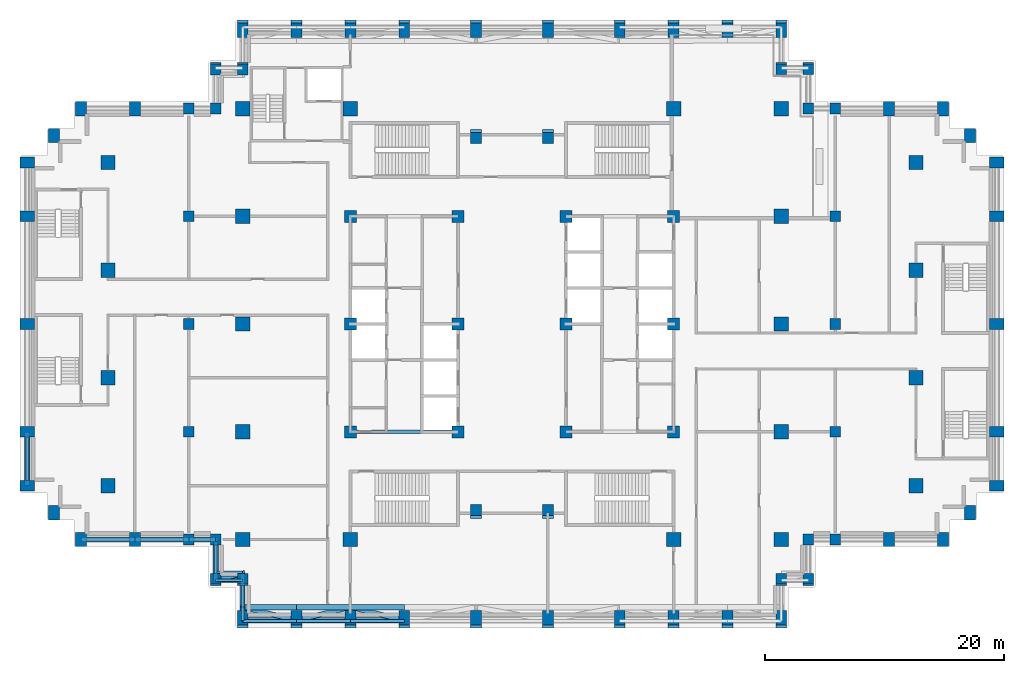
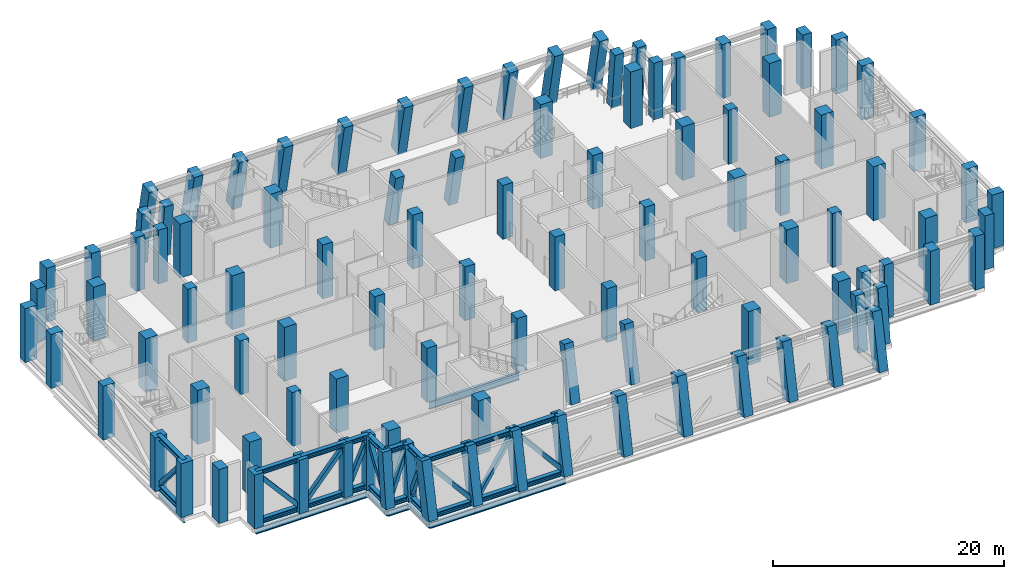
# One storey, part 1 of 14: 102 columns, 30 members, 11 beams.
"""IFC4 building model written with IfcOpenShell, lengths in metres."""

from ifc_helpers import new_model, si_unit, direction, frame, origin, origin_2d, place, context, subcontext, project, spatial, rectangle, hollow_rectangle, i_section, extrude, material, material_profile, profile_set, type_object, element, save


model = new_model("IFC4")

# Units and contexts
model_context = context("Model", 3, precision=1e-05, world=origin(), true_north=direction((0.0, 1.0)))
body_context = subcontext(model_context, "Body", "Model", "MODEL_VIEW")
ifc_project = project(units=[si_unit("LENGTHUNIT", "METRE"), si_unit("AREAUNIT", "SQUARE_METRE"), si_unit("VOLUMEUNIT", "CUBIC_METRE"), si_unit("PLANEANGLEUNIT", "RADIAN"), si_unit("MASSUNIT", "GRAM", prefix="KILO")], contexts=[model_context])

# Site, building, storey
site_placement = place(None, origin())
site = spatial("IfcSite", under=ifc_project, at=site_placement, CompositionType="ELEMENT")
building_placement = place(site_placement, origin())
building = spatial("IfcBuilding", under=site, at=building_placement, Name="Corbelhall Arena Tower", CompositionType="ELEMENT")
storey_placement = place(building_placement, frame((0.0, 0.0, 120.0)))
storey = spatial("IfcBuildingStorey", under=building, at=storey_placement, Name="L22", CompositionType="ELEMENT", Elevation=120.0)

# Columns
ifc_material_1 = material(Name="Concrete C80/95", Category="concrete")
ifc_material_profile_1 = material_profile(ifc_material_1, rectangle(XDim=1.0, YDim=1.0, at=origin_2d()))
ifc_profile_set_1 = profile_set([ifc_material_profile_1], Name="Concrete C80/95")
column_type_1 = type_object("IfcColumnType", Name="ST-COL-RC 1000x1000", PredefinedType="COLUMN", material=ifc_profile_set_1)
for number, where, z_axis, x_axis, name in (
    (1, (4.5, 0.0, 0.0), (0.0, 0.0, 1.0), (1.0, 0.0, 0.0), "Column KE+0450+0000"),
    (2, (4.5, 9.0, 0.0), (0.0, 0.0, 1.0), (1.0, 0.0, 0.0), "Column KE+0450+0900"),
    (3, (4.5, -9.0, 0.0), (0.0, 0.0, 1.0), (1.0, 0.0, 0.0), "Column KE+0450-0900"),
    (4, (13.5, 0.0, 0.0), (0.0, 0.0, 1.0), (1.0, 0.0, 0.0), "Column KE+1350+0000"),
    (5, (13.5, 9.0, 0.0), (0.0, 0.0, 1.0), (1.0, 0.0, 0.0), "Column KE+1350+0900"),
    (6, (13.5, -9.0, 0.0), (0.0, 0.0, 1.0), (1.0, 0.0, 0.0), "Column KE+1350-0900"),
    (7, (-4.5, 0.0, 0.0), (0.0, 0.0, 1.0), (1.0, 0.0, 0.0), "Column KW-0450+0000"),
    (8, (-4.5, 9.0, 0.0), (0.0, 0.0, 1.0), (1.0, 0.0, 0.0), "Column KW-0450+0900"),
    (9, (-4.5, -9.0, 0.0), (0.0, 0.0, 1.0), (1.0, 0.0, 0.0), "Column KW-0450-0900"),
    (10, (-13.5, 0.0, 0.0), (0.0, 0.0, 1.0), (1.0, 0.0, 0.0), "Column KW-1350+0000"),
    (11, (-13.5, 9.0, 0.0), (0.0, 0.0, 1.0), (1.0, 0.0, 0.0), "Column KW-1350+0900"),
    (12, (-13.5, -9.0, 0.0), (0.0, 0.0, 1.0), (1.0, 0.0, 0.0), "Column KW-1350-0900"),
):
    element("IfcColumn", number, at=place(storey_placement, frame(where, z_axis=z_axis, x_axis=x_axis)), inside=storey, type_object=column_type_1, Name=name, PredefinedType="COLUMN", context=body_context, shape_type="SweptSolid", body=[
        extrude(rectangle(XDim=1.0, YDim=1.0, at=origin_2d()), origin(), (0.0, 0.0, 1.0), 5.699951171875),
    ])
ifc_material_profile_2 = material_profile(ifc_material_1, rectangle(XDim=1.199951171875, YDim=1.199951171875, at=origin_2d()))
ifc_profile_set_2 = profile_set([ifc_material_profile_2], Name="Concrete C80/95")
column_type_2 = type_object("IfcColumnType", Name="ST-COL-RC 1200x1200", PredefinedType="COLUMN", material=ifc_profile_set_2)
for number, where, z_axis, x_axis, name in (
    (13, (-33.75, 4.5, 0.0), (0.0, 0.0, 1.0), (1.0, 0.0, 0.0), "Column FIC+0450"),
    (14, (-33.75, 13.5, 0.0), (0.0, 0.0, 1.0), (1.0, 0.0, 0.0), "Column FIC+1350"),
    (15, (-33.75, -4.5, 0.0), (0.0, 0.0, 1.0), (1.0, 0.0, 0.0), "Column FIC-0450"),
    (16, (-33.75, -13.5, 0.0), (0.0, 0.0, 1.0), (1.0, 0.0, 0.0), "Column FIC-1350"),
    (17, (33.75, 4.5, 0.0), (0.0, 0.0, 1.0), (1.0, 0.0, 0.0), "Column FID+0450"),
    (18, (33.75, 13.5, 0.0), (0.0, 0.0, 1.0), (1.0, 0.0, 0.0), "Column FID+1350"),
    (19, (33.75, -4.5, 0.0), (0.0, 0.0, 1.0), (1.0, 0.0, 0.0), "Column FID-0450"),
    (20, (33.75, -13.5, 0.0), (0.0, 0.0, 1.0), (1.0, 0.0, 0.0), "Column FID-1350"),
    (21, (13.5, 18.0, 0.0), (0.0, 0.0, 1.0), (1.0, 0.0, 0.0), "Column IE13+1800"),
    (22, (13.5, -18.0, 0.0), (0.0, 0.0, 1.0), (1.0, 0.0, 0.0), "Column IE13-1800"),
    (23, (22.5, 0.0, 0.0), (0.0, 0.0, 1.0), (1.0, 0.0, 0.0), "Column IE22+0000"),
    (24, (22.5, 9.0, 0.0), (0.0, 0.0, 1.0), (1.0, 0.0, 0.0), "Column IE22+0900"),
):
    element("IfcColumn", number, at=place(storey_placement, frame(where, z_axis=z_axis, x_axis=x_axis)), inside=storey, type_object=column_type_2, Name=name, PredefinedType="COLUMN", context=body_context, shape_type="SweptSolid", body=[
        extrude(rectangle(XDim=1.199951171875, YDim=1.199951171875, at=origin_2d()), origin(), (0.0, 0.0, 1.0), 5.699951171875),
    ])
column_1_placement = place(storey_placement, frame((22.5, 18.0, 0.0), z_axis=(0.0, 0.0, 1.0), x_axis=(1.0, 0.0, 0.0)))
element("IfcColumn", 25, at=column_1_placement, inside=storey, type_object=column_type_2, Name="Column IE22+1800", PredefinedType="COLUMN", context=body_context, shape_type="SweptSolid", body=[
    extrude(rectangle(XDim=1.199951171875, YDim=1.199951171875, at=origin_2d()), origin(), (0.0, 0.0, 1.0), 6.0),
])
for number, where, z_axis, x_axis, name in (
    (26, (22.5, -9.0, 0.0), (0.0, 0.0, 1.0), (1.0, 0.0, 0.0), "Column IE22-0900"),
    (27, (22.5, -18.0, 0.0), (0.0, 0.0, 1.0), (1.0, 0.0, 0.0), "Column IE22-1800"),
    (28, (-13.5, 18.0, 0.0), (0.0, 0.0, 1.0), (1.0, 0.0, 0.0), "Column IW13+1800"),
    (29, (-13.5, -18.0, 0.0), (0.0, 0.0, 1.0), (1.0, 0.0, 0.0), "Column IW13-1800"),
    (30, (-22.5, 0.0, 0.0), (0.0, 0.0, 1.0), (1.0, 0.0, 0.0), "Column IW22+0000"),
    (31, (-22.5, 9.0, 0.0), (0.0, 0.0, 1.0), (1.0, 0.0, 0.0), "Column IW22+0900"),
    (32, (-22.5, 18.0, 0.0), (0.0, 0.0, 1.0), (1.0, 0.0, 0.0), "Column IW22+1800"),
    (33, (-22.5, -9.0, 0.0), (0.0, 0.0, 1.0), (1.0, 0.0, 0.0), "Column IW22-0900"),
    (34, (-22.5, -18.0, 0.0), (0.0, 0.0, 1.0), (1.0, 0.0, 0.0), "Column IW22-1800"),
):
    element("IfcColumn", number, at=place(storey_placement, frame(where, z_axis=z_axis, x_axis=x_axis)), inside=storey, type_object=column_type_2, Name=name, PredefinedType="COLUMN", context=body_context, shape_type="SweptSolid", body=[
        extrude(rectangle(XDim=1.199951171875, YDim=1.199951171875, at=origin_2d()), origin(), (0.0, 0.0, 1.0), 5.699951171875),
    ])
ifc_material_profile_3 = material_profile(ifc_material_1, rectangle(XDim=0.89990234375, YDim=1.199951171875, at=origin_2d()))
ifc_profile_set_3 = profile_set([ifc_material_profile_3], Name="Concrete C80/95")
column_type_3 = type_object("IfcColumnType", Name="ST-COL-RC 900x1200", PredefinedType="COLUMN", material=ifc_profile_set_3)
for number, where, z_axis, x_axis, name in (
    (35, (-40.5, 0.0, 0.0), (0.0, 0.0, 1.0), (0.0, 1.0, 0.0), "Column FC+0000"),
    (36, (-40.5, 9.0, 0.0), (0.0, 0.0, 1.0), (0.0, 1.0, 0.0), "Column FC+0900"),
    (37, (-40.5, 13.5, 0.0), (0.0, 0.0, 1.0), (0.0, 1.0, 0.0), "Column FC+1350"),
    (38, (-40.5, -9.0, 0.0), (0.0, 0.0, 1.0), (0.0, 1.0, 0.0), "Column FC-0900"),
    (39, (-40.5, -13.5, 0.0), (0.0, 0.0, 1.0), (0.0, 1.0, 0.0), "Column FC-1350"),
    (40, (-38.25, 15.75, 0.0), (0.0, 0.0, 1.0), (1.0, 0.0, 0.0), "Column FCCN"),
    (41, (-38.25, -15.75, 0.0), (0.0, 0.0, 1.0), (1.0, 0.0, 0.0), "Column FCCS"),
    (42, (-31.5, 18.0, 0.0), (0.0, 0.0, 1.0), (1.0, 0.0, 0.0), "Column FCN3150"),
    (43, (-36.0, 18.0, 0.0), (0.0, 0.0, 1.0), (1.0, 0.0, 0.0), "Column FCN3600"),
    (44, (-31.5, -18.0, 0.0), (0.0, 0.0, 1.0), (1.0, 0.0, 0.0), "Column FCS3150"),
    (45, (-36.0, -18.0, 0.0), (0.0, 0.0, 1.0), (1.0, 0.0, 0.0), "Column FCS3600"),
    (46, (40.5, 0.0, 0.0), (0.0, 0.0, 1.0), (0.0, 1.0, 0.0), "Column FD+0000"),
    (47, (40.5, 9.0, 0.0), (0.0, 0.0, 1.0), (0.0, 1.0, 0.0), "Column FD+0900"),
    (48, (40.5, 13.5, 0.0), (0.0, 0.0, 1.0), (0.0, 1.0, 0.0), "Column FD+1350"),
    (49, (40.5, -9.0, 0.0), (0.0, 0.0, 1.0), (0.0, 1.0, 0.0), "Column FD-0900"),
    (50, (40.5, -13.5, 0.0), (0.0, 0.0, 1.0), (0.0, 1.0, 0.0), "Column FD-1350"),
    (51, (38.25, 15.75, 0.0), (0.0, 0.0, 1.0), (1.0, 0.0, 0.0), "Column FDCN"),
    (52, (38.25, -15.75, 0.0), (0.0, 0.0, 1.0), (1.0, 0.0, 0.0), "Column FDCS"),
    (53, (31.5, 18.0, 0.0), (0.0, 0.0, 1.0), (1.0, 0.0, 0.0), "Column FDN3150"),
    (54, (36.0, 18.0, 0.0), (0.0, 0.0, 1.0), (1.0, 0.0, 0.0), "Column FDN3600"),
    (55, (31.5, -18.0, 0.0), (0.0, 0.0, 1.0), (1.0, 0.0, 0.0), "Column FDS3150"),
    (56, (36.0, -18.0, 0.0), (0.0, 0.0, 1.0), (1.0, 0.0, 0.0), "Column FDS3600"),
):
    element("IfcColumn", number, at=place(storey_placement, frame(where, z_axis=z_axis, x_axis=x_axis)), inside=storey, type_object=column_type_3, Name=name, PredefinedType="COLUMN", context=body_context, shape_type="SweptSolid", body=[
        extrude(rectangle(XDim=0.89990234375, YDim=1.199951171875, at=origin_2d()), origin(), (0.0, 0.0, 1.0), 5.699951171875),
    ])
for number, where, z_axis, x_axis, name in (
    (57, (3.0, 24.800048828125, 0.0), (0.0, -0.206004144013, 0.978551119078), (1.0, 0.0, 0.0), "Column PNE0300"),
    (58, (9.0, 24.800048828125, 0.0), (0.0, -0.206004144013, 0.978551119078), (1.0, 0.0, 0.0), "Column PNE0900"),
    (59, (13.5, 24.800048828125, 0.0), (0.0, -0.206004144013, 0.978551119078), (1.0, 0.0, 0.0), "Column PNE1350"),
):
    element("IfcColumn", number, at=place(storey_placement, frame(where, z_axis=z_axis, x_axis=x_axis)), inside=storey, type_object=column_type_3, Name=name, PredefinedType="COLUMN", context=body_context, shape_type="SweptSolid", body=[
        extrude(rectangle(XDim=0.89990234375, YDim=1.199951171875, at=origin_2d()), origin(), (0.0, 0.0, 1.0), 5.824951171875),
    ])
for number, where, z_axis, x_axis, name in (
    (60, (18.0, 24.800048828125, 0.0), (0.0, -0.200035762703, 0.979788596402), (1.0, 0.0, 0.0), "Column PNE1800"),
    (61, (22.5, 24.800048828125, 0.0), (0.0, -0.200035762703, 0.979788596402), (1.0, 0.0, 0.0), "Column PNE2250"),
):
    element("IfcColumn", number, at=place(storey_placement, frame(where, z_axis=z_axis, x_axis=x_axis)), inside=storey, type_object=column_type_3, Name=name, PredefinedType="COLUMN", context=body_context, shape_type="SweptSolid", body=[
        extrude(rectangle(XDim=0.89990234375, YDim=1.199951171875, at=origin_2d()), origin(), (0.0, 0.0, 1.0), 5.998779296875),
    ])
for number, where, z_axis, x_axis, name in (
    (62, (-3.0, 24.800048828125, 0.0), (0.0, -0.206004144013, 0.978551119078), (1.0, 0.0, 0.0), "Column PNW0300"),
    (63, (-9.0, 24.800048828125, 0.0), (0.0, -0.206004144013, 0.978551119078), (1.0, 0.0, 0.0), "Column PNW0900"),
    (64, (-13.5, 24.800048828125, 0.0), (0.0, -0.206004144013, 0.978551119078), (1.0, 0.0, 0.0), "Column PNW1350"),
    (65, (-18.0, 24.800048828125, 0.0), (0.0, -0.206004144013, 0.978551119078), (1.0, 0.0, 0.0), "Column PNW1800"),
    (66, (-22.5, 24.800048828125, 0.0), (0.0, -0.206004144013, 0.978551119078), (1.0, 0.0, 0.0), "Column PNW2250"),
    (67, (3.0, -24.800048828125, 0.0), (0.0, 0.206004144013, 0.978551119078), (-1.0, 0.0, 0.0), "Column PSE0300"),
    (68, (9.0, -24.800048828125, 0.0), (0.0, 0.206004144013, 0.978551119078), (-1.0, 0.0, 0.0), "Column PSE0900"),
    (69, (13.5, -24.800048828125, 0.0), (0.0, 0.206004144013, 0.978551119078), (-1.0, 0.0, 0.0), "Column PSE1350"),
    (70, (18.0, -24.800048828125, 0.0), (0.0, 0.206004144013, 0.978551119078), (-1.0, 0.0, 0.0), "Column PSE1800"),
    (71, (22.5, -24.800048828125, 0.0), (0.0, 0.206004144013, 0.978551119078), (-1.0, 0.0, 0.0), "Column PSE2250"),
    (72, (-3.0, -24.800048828125, 0.0), (0.0, 0.206004144013, 0.978551119078), (-1.0, 0.0, 0.0), "Column PSW0300"),
    (73, (-9.0, -24.800048828125, 0.0), (0.0, 0.206004144013, 0.978551119078), (-1.0, 0.0, 0.0), "Column PSW0900"),
    (74, (-13.5, -24.800048828125, 0.0), (0.0, 0.206004144013, 0.978551119078), (-1.0, 0.0, 0.0), "Column PSW1350"),
    (75, (-18.0, -24.800048828125, 0.0), (0.0, 0.206004144013, 0.978551119078), (-1.0, 0.0, 0.0), "Column PSW1800"),
    (76, (-22.5, -24.800048828125, 0.0), (0.0, 0.206004144013, 0.978551119078), (-1.0, 0.0, 0.0), "Column PSW2250"),
):
    element("IfcColumn", number, at=place(storey_placement, frame(where, z_axis=z_axis, x_axis=x_axis)), inside=storey, type_object=column_type_3, Name=name, PredefinedType="COLUMN", context=body_context, shape_type="SweptSolid", body=[
        extrude(rectangle(XDim=0.89990234375, YDim=1.199951171875, at=origin_2d()), origin(), (0.0, 0.0, 1.0), 5.824951171875),
    ])
ifc_material_profile_4 = material_profile(ifc_material_1, rectangle(XDim=0.89990234375, YDim=0.89990234375, at=origin_2d()))
ifc_profile_set_4 = profile_set([ifc_material_profile_4], Name="Concrete C80/95")
column_type_4 = type_object("IfcColumnType", Name="ST-COL-RC 900x900", PredefinedType="COLUMN", material=ifc_profile_set_4)
for number, where, z_axis, x_axis, name in (
    (77, (27.0, 0.0, 0.0), (0.0, 0.0, 1.0), (1.0, 0.0, 0.0), "Column PE+0000"),
    (78, (27.0, 9.0, 0.0), (0.0, 0.0, 1.0), (1.0, 0.0, 0.0), "Column PE+0900"),
    (79, (27.0, 18.0, 0.0), (0.0, 0.0, 1.0), (1.0, 0.0, 0.0), "Column PE+1800"),
    (80, (27.0, -9.0, 0.0), (0.0, 0.0, 1.0), (1.0, 0.0, 0.0), "Column PE-0900"),
    (81, (27.0, -18.0, 0.0), (0.0, 0.0, 1.0), (1.0, 0.0, 0.0), "Column PE-1800"),
    (82, (-27.0, 0.0, 0.0), (0.0, 0.0, 1.0), (1.0, 0.0, 0.0), "Column PW+0000"),
    (83, (-27.0, 9.0, 0.0), (0.0, 0.0, 1.0), (1.0, 0.0, 0.0), "Column PW+0900"),
    (84, (-27.0, 18.0, 0.0), (0.0, 0.0, 1.0), (1.0, 0.0, 0.0), "Column PW+1800"),
    (85, (-27.0, -9.0, 0.0), (0.0, 0.0, 1.0), (1.0, 0.0, 0.0), "Column PW-0900"),
    (86, (-27.0, -18.0, 0.0), (0.0, 0.0, 1.0), (1.0, 0.0, 0.0), "Column PW-1800"),
):
    element("IfcColumn", number, at=place(storey_placement, frame(where, z_axis=z_axis, x_axis=x_axis)), inside=storey, type_object=column_type_4, Name=name, PredefinedType="COLUMN", context=body_context, shape_type="SweptSolid", body=[
        extrude(rectangle(XDim=0.89990234375, YDim=0.89990234375, at=origin_2d()), origin(), (0.0, 0.0, 1.0), 5.699951171875),
    ])
for number, where, z_axis, x_axis, name in (
    (87, (3.0, 15.800048828125, 0.0), (0.0, -0.206004144013, 0.978551119078), (1.0, 0.0, 0.0), "Column SLNE2"),
    (88, (-3.0, 15.800048828125, 0.0), (0.0, -0.206004144013, 0.978551119078), (1.0, 0.0, 0.0), "Column SLNW2"),
    (89, (3.0, -15.800048828125, 0.0), (0.0, 0.206004144013, 0.978551119078), (-1.0, 0.0, 0.0), "Column SLSE2"),
    (90, (-3.0, -15.800048828125, 0.0), (0.0, 0.206004144013, 0.978551119078), (-1.0, 0.0, 0.0), "Column SLSW2"),
):
    element("IfcColumn", number, at=place(storey_placement, frame(where, z_axis=z_axis, x_axis=x_axis)), inside=storey, type_object=column_type_4, Name=name, PredefinedType="COLUMN", context=body_context, shape_type="SweptSolid", body=[
        extrude(rectangle(XDim=0.89990234375, YDim=0.89990234375, at=origin_2d()), origin(), (0.0, 0.0, 1.0), 5.824951171875),
    ])
for number, where, z_axis, x_axis, name in (
    (91, (22.5, 21.39990234375, 0.0), (0.0, -0.100303994339, 0.994956837616), (1.0, 0.0, 0.0), "Column XNE1"),
    (92, (24.75, 21.39990234375, 0.0), (0.0, -0.100303994339, 0.994956837616), (1.0, 0.0, 0.0), "Column XNE2"),
):
    element("IfcColumn", number, at=place(storey_placement, frame(where, z_axis=z_axis, x_axis=x_axis)), inside=storey, type_object=column_type_4, Name=name, PredefinedType="COLUMN", context=body_context, shape_type="SweptSolid", body=[
        extrude(rectangle(XDim=0.89990234375, YDim=0.89990234375, at=origin_2d()), origin(), (0.0, 0.0, 1.0), 5.98046875),
    ])
column_2_placement = place(storey_placement, frame((24.75, 18.0, 0.0), z_axis=(0.0, 0.0, 1.0), x_axis=(1.0, 0.0, 0.0)))
element("IfcColumn", 93, at=column_2_placement, inside=storey, type_object=column_type_4, Name="Column XNE3", PredefinedType="COLUMN", context=body_context, shape_type="SweptSolid", body=[
    extrude(rectangle(XDim=0.89990234375, YDim=0.89990234375, at=origin_2d()), origin(), (0.0, 0.0, 1.0), 6.0),
])
for number, where, z_axis, x_axis, name in (
    (94, (-22.5, 21.39990234375, 0.0), (0.0, -0.104660393429, 0.994508020102), (1.0, 0.0, 0.0), "Column XNW1"),
    (95, (-24.75, 21.39990234375, 0.0), (0.0, -0.104660393429, 0.994508020102), (1.0, 0.0, 0.0), "Column XNW2"),
):
    element("IfcColumn", number, at=place(storey_placement, frame(where, z_axis=z_axis, x_axis=x_axis)), inside=storey, type_object=column_type_4, Name=name, PredefinedType="COLUMN", context=body_context, shape_type="SweptSolid", body=[
        extrude(rectangle(XDim=0.89990234375, YDim=0.89990234375, at=origin_2d()), origin(), (0.0, 0.0, 1.0), 5.7314453125),
    ])
column_3_placement = place(storey_placement, frame((-24.75, 18.0, 0.0), z_axis=(0.0, 0.0, 1.0), x_axis=(1.0, 0.0, 0.0)))
element("IfcColumn", 96, at=column_3_placement, inside=storey, type_object=column_type_4, Name="Column XNW3", PredefinedType="COLUMN", context=body_context, shape_type="SweptSolid", body=[
    extrude(rectangle(XDim=0.89990234375, YDim=0.89990234375, at=origin_2d()), origin(), (0.0, 0.0, 1.0), 5.699951171875),
])
for number, where, z_axis, x_axis, name in (
    (97, (22.5, -21.39990234375, 0.0), (0.0, 0.104660393429, 0.994508020102), (-1.0, 0.0, 0.0), "Column XSE1"),
    (98, (24.75, -21.39990234375, 0.0), (0.0, 0.104660393429, 0.994508020102), (-1.0, 0.0, 0.0), "Column XSE2"),
):
    element("IfcColumn", number, at=place(storey_placement, frame(where, z_axis=z_axis, x_axis=x_axis)), inside=storey, type_object=column_type_4, Name=name, PredefinedType="COLUMN", context=body_context, shape_type="SweptSolid", body=[
        extrude(rectangle(XDim=0.89990234375, YDim=0.89990234375, at=origin_2d()), origin(), (0.0, 0.0, 1.0), 5.7314453125),
    ])
column_4_placement = place(storey_placement, frame((24.75, -18.0, 0.0), z_axis=(0.0, 0.0, 1.0), x_axis=(1.0, 0.0, 0.0)))
element("IfcColumn", 99, at=column_4_placement, inside=storey, type_object=column_type_4, Name="Column XSE3", PredefinedType="COLUMN", context=body_context, shape_type="SweptSolid", body=[
    extrude(rectangle(XDim=0.89990234375, YDim=0.89990234375, at=origin_2d()), origin(), (0.0, 0.0, 1.0), 5.699951171875),
])
for number, where, z_axis, x_axis, name in (
    (100, (-22.5, -21.39990234375, 0.0), (0.0, 0.104660393429, 0.994508020102), (-1.0, 0.0, 0.0), "Column XSW1"),
    (101, (-24.75, -21.39990234375, 0.0), (0.0, 0.104660393429, 0.994508020102), (-1.0, 0.0, 0.0), "Column XSW2"),
):
    element("IfcColumn", number, at=place(storey_placement, frame(where, z_axis=z_axis, x_axis=x_axis)), inside=storey, type_object=column_type_4, Name=name, PredefinedType="COLUMN", context=body_context, shape_type="SweptSolid", body=[
        extrude(rectangle(XDim=0.89990234375, YDim=0.89990234375, at=origin_2d()), origin(), (0.0, 0.0, 1.0), 5.7314453125),
    ])
column_5_placement = place(storey_placement, frame((-24.75, -18.0, 0.0), z_axis=(0.0, 0.0, 1.0), x_axis=(1.0, 0.0, 0.0)))
element("IfcColumn", 102, at=column_5_placement, inside=storey, type_object=column_type_4, Name="Column XSW3", PredefinedType="COLUMN", context=body_context, shape_type="SweptSolid", body=[
    extrude(rectangle(XDim=0.89990234375, YDim=0.89990234375, at=origin_2d()), origin(), (0.0, 0.0, 1.0), 5.699951171875),
])

# Beam
ifc_material_2 = material(Name="Steel ASTM A992 Gr50", Category="steel")
ifc_material_profile_5 = material_profile(ifc_material_2, i_section(OverallWidth=0.2666015625, OverallDepth=0.761962890625, WebThickness=0.014404296875, FlangeThickness=0.021484375, at=origin_2d()))
ifc_profile_set_5 = profile_set([ifc_material_profile_5], Name="Steel ASTM A992 Gr50")
beam_type_1 = type_object("IfcBeamType", Name="ST-BEAM-W30x116", PredefinedType="BEAM", material=ifc_profile_set_5)
beam_1_placement = place(storey_placement, frame((-13.5, -9.0, -0.781494140625), z_axis=(1.0, 0.0, 0.0), x_axis=(0.0, 1.0, 0.0)))
element("IfcBeam", 103, at=beam_1_placement, inside=storey, type_object=beam_type_1, Name="Beam CEW 5", PredefinedType="BEAM", context=body_context, shape_type="SweptSolid", body=[
    extrude(i_section(OverallWidth=0.2666015625, OverallDepth=0.761962890625, WebThickness=0.014404296875, FlangeThickness=0.021484375, at=origin_2d()), origin(), (0.0, 0.0, 1.0), 9.0),
])

# Members
ifc_material_3 = material(Name="Steel ASTM A913 Gr65", Category="steel")
ifc_material_profile_6 = material_profile(ifc_material_3, i_section(OverallWidth=0.431884765625, OverallDepth=0.497802734375, WebThickness=0.0556640625, FlangeThickness=0.0888671875, at=origin_2d()))
ifc_profile_set_6 = profile_set([ifc_material_profile_6], Name="Steel ASTM A913 Gr65")
member_type_1 = type_object("IfcMemberType", Name="ST-CHORD-W14x500", PredefinedType="CHORD", material=ifc_profile_set_6)
for number, where, z_axis, x_axis, name in (
    (104, (-40.5, -13.5, 0.2490234375), (0.0, 1.0, 0.0), (-1.0, 0.0, 0.0), "Truss chord BC 4"),
    (105, (-40.5, -13.5, 5.451171875), (0.0, 1.0, 0.0), (-1.0, 0.0, 0.0), "Truss chord TC 4"),
    (106, (-31.5, -18.0, 0.2490234375), (-1.0, 0.0, 0.0), (0.0, -1.0, 0.0), "Truss chord BC 7"),
    (107, (-31.5, -18.0, 5.451171875), (-1.0, 0.0, 0.0), (0.0, -1.0, 0.0), "Truss chord TC 7"),
    (108, (-9.0, -24.74755859375, 0.2490234375), (-1.0, 0.0, 0.0), (0.0, -1.0, 0.0), "Truss chord BC 33"),
    (109, (-9.0, -23.65234375, 5.451171875), (-1.0, 0.0, 0.0), (0.0, -1.0, 0.0), "Truss chord TC 33"),
    (110, (-13.5, -24.74755859375, 0.2490234375), (-1.0, 0.0, 0.0), (0.0, -1.0, 0.0), "Truss chord BC 34"),
    (111, (-13.5, -23.65234375, 5.451171875), (-1.0, 0.0, 0.0), (0.0, -1.0, 0.0), "Truss chord TC 34"),
    (112, (-18.0, -24.74755859375, 0.2490234375), (-1.0, 0.0, 0.0), (0.0, -1.0, 0.0), "Truss chord BC 35"),
    (113, (-18.0, -23.65234375, 5.451171875), (-1.0, 0.0, 0.0), (0.0, -1.0, 0.0), "Truss chord TC 35"),
):
    element("IfcMember", number, at=place(storey_placement, frame(where, z_axis=z_axis, x_axis=x_axis)), inside=storey, type_object=member_type_1, Name=name, PredefinedType="CHORD", context=body_context, shape_type="SweptSolid", body=[
        extrude(i_section(OverallWidth=0.431884765625, OverallDepth=0.497802734375, WebThickness=0.0556640625, FlangeThickness=0.0888671875, at=origin_2d()), origin(), (0.0, 0.0, 1.0), 4.5),
    ])
member_1_placement = place(storey_placement, frame((-22.5, -24.74755859375, 0.2490234375), z_axis=(0.0, 1.0, 0.0), x_axis=(-1.0, 0.0, 0.0)))
element("IfcMember", 114, at=member_1_placement, inside=storey, type_object=member_type_1, Name="Truss chord BC 36", PredefinedType="CHORD", context=body_context, shape_type="SweptSolid", body=[
    extrude(i_section(OverallWidth=0.431884765625, OverallDepth=0.497802734375, WebThickness=0.0556640625, FlangeThickness=0.0888671875, at=origin_2d()), origin(), (0.0, 0.0, 1.0), 3.373779296875),
])
member_2_placement = place(storey_placement, frame((-22.5, -23.65234375, 5.451171875), z_axis=(0.0, 1.0, 0.0), x_axis=(-1.0, 0.0, 0.0)))
element("IfcMember", 115, at=member_2_placement, inside=storey, type_object=member_type_1, Name="Truss chord TC 36", PredefinedType="CHORD", context=body_context, shape_type="SweptSolid", body=[
    extrude(i_section(OverallWidth=0.431884765625, OverallDepth=0.497802734375, WebThickness=0.0556640625, FlangeThickness=0.0888671875, at=origin_2d()), origin(), (0.0, 0.0, 1.0), 2.826171875),
])
for number, where, z_axis, x_axis, name in (
    (116, (-27.0, -18.0, 0.2490234375), (-1.0, 0.0, 0.0), (0.0, -1.0, 0.0), "Truss chord BC 38"),
    (117, (-27.0, -18.0, 5.451171875), (-1.0, 0.0, 0.0), (0.0, -1.0, 0.0), "Truss chord TC 38"),
):
    element("IfcMember", number, at=place(storey_placement, frame(where, z_axis=z_axis, x_axis=x_axis)), inside=storey, type_object=member_type_1, Name=name, PredefinedType="CHORD", context=body_context, shape_type="SweptSolid", body=[
        extrude(i_section(OverallWidth=0.431884765625, OverallDepth=0.497802734375, WebThickness=0.0556640625, FlangeThickness=0.0888671875, at=origin_2d()), origin(), (0.0, 0.0, 1.0), 4.5),
    ])
for number, where, z_axis, x_axis, name in (
    (118, (-22.5, -21.373779296875, 0.2490234375), (-1.0, 0.0, 0.0), (0.0, -1.0, 0.0), "Truss chord BC 48"),
    (119, (-22.5, -20.826171875, 5.451171875), (-1.0, 0.0, 0.0), (0.0, -1.0, 0.0), "Truss chord TC 48"),
):
    element("IfcMember", number, at=place(storey_placement, frame(where, z_axis=z_axis, x_axis=x_axis)), inside=storey, type_object=member_type_1, Name=name, PredefinedType="CHORD", context=body_context, shape_type="SweptSolid", body=[
        extrude(i_section(OverallWidth=0.431884765625, OverallDepth=0.497802734375, WebThickness=0.0556640625, FlangeThickness=0.0888671875, at=origin_2d()), origin(), (0.0, 0.0, 1.0), 2.25),
    ])
member_3_placement = place(storey_placement, frame((-24.75, -21.373779296875, 0.2490234375), z_axis=(0.0, 1.0, 0.0), x_axis=(-1.0, 0.0, 0.0)))
element("IfcMember", 120, at=member_3_placement, inside=storey, type_object=member_type_1, Name="Truss chord BC 49", PredefinedType="CHORD", context=body_context, shape_type="SweptSolid", body=[
    extrude(i_section(OverallWidth=0.431884765625, OverallDepth=0.497802734375, WebThickness=0.0556640625, FlangeThickness=0.0888671875, at=origin_2d()), origin(), (0.0, 0.0, 1.0), 3.373779296875),
])
member_4_placement = place(storey_placement, frame((-24.75, -20.826171875, 5.451171875), z_axis=(0.0, 1.0, 0.0), x_axis=(-1.0, 0.0, 0.0)))
element("IfcMember", 121, at=member_4_placement, inside=storey, type_object=member_type_1, Name="Truss chord TC 49", PredefinedType="CHORD", context=body_context, shape_type="SweptSolid", body=[
    extrude(i_section(OverallWidth=0.431884765625, OverallDepth=0.497802734375, WebThickness=0.0556640625, FlangeThickness=0.0888671875, at=origin_2d()), origin(), (0.0, 0.0, 1.0), 2.826171875),
])
for number, where, z_axis, x_axis, name in (
    (122, (-24.75, -18.0, 0.2490234375), (-1.0, 0.0, 0.0), (0.0, -1.0, 0.0), "Truss chord BC 50"),
    (123, (-24.75, -18.0, 5.451171875), (-1.0, 0.0, 0.0), (0.0, -1.0, 0.0), "Truss chord TC 50"),
):
    element("IfcMember", number, at=place(storey_placement, frame(where, z_axis=z_axis, x_axis=x_axis)), inside=storey, type_object=member_type_1, Name=name, PredefinedType="CHORD", context=body_context, shape_type="SweptSolid", body=[
        extrude(i_section(OverallWidth=0.431884765625, OverallDepth=0.497802734375, WebThickness=0.0556640625, FlangeThickness=0.0888671875, at=origin_2d()), origin(), (0.0, 0.0, 1.0), 2.25),
    ])

# Beams
ifc_material_profile_7 = material_profile(ifc_material_2, i_section(OverallWidth=0.23046875, OverallDepth=0.6171875, WebThickness=0.01318359375, FlangeThickness=0.022216796875, at=origin_2d()))
ifc_profile_set_7 = profile_set([ifc_material_profile_7], Name="Steel ASTM A992 Gr50")
beam_type_2 = type_object("IfcBeamType", Name="ST-SPANDREL-W24x94", PredefinedType="SPANDREL", material=ifc_profile_set_7)
for number, where, z_axis, x_axis, name in (
    (124, (-40.5, -13.5, -0.708984375), (0.0, 1.0, 0.0), (-1.0, 0.0, 0.0), "Beam SP 4"),
    (125, (-31.5, -18.0, -0.708984375), (-1.0, 0.0, 0.0), (0.0, -1.0, 0.0), "Beam SP 7"),
    (126, (-9.0, -24.800048828125, -0.708984375), (-1.0, 0.0, 0.0), (0.0, -1.0, 0.0), "Beam SP 33"),
    (127, (-13.5, -24.800048828125, -0.708984375), (-1.0, 0.0, 0.0), (0.0, -1.0, 0.0), "Beam SP 34"),
    (128, (-18.0, -24.800048828125, -0.708984375), (-1.0, 0.0, 0.0), (0.0, -1.0, 0.0), "Beam SP 35"),
):
    element("IfcBeam", number, at=place(storey_placement, frame(where, z_axis=z_axis, x_axis=x_axis)), inside=storey, type_object=beam_type_2, Name=name, PredefinedType="SPANDREL", context=body_context, shape_type="SweptSolid", body=[
        extrude(i_section(OverallWidth=0.23046875, OverallDepth=0.6171875, WebThickness=0.01318359375, FlangeThickness=0.022216796875, at=origin_2d()), origin(), (0.0, 0.0, 1.0), 4.5),
    ])
beam_2_placement = place(storey_placement, frame((-22.5, -24.800048828125, -0.708984375), z_axis=(0.0, 1.0, 0.0), x_axis=(-1.0, 0.0, 0.0)))
element("IfcBeam", 129, at=beam_2_placement, inside=storey, type_object=beam_type_2, Name="Beam SP 36", PredefinedType="SPANDREL", context=body_context, shape_type="SweptSolid", body=[
    extrude(i_section(OverallWidth=0.23046875, OverallDepth=0.6171875, WebThickness=0.01318359375, FlangeThickness=0.022216796875, at=origin_2d()), origin(), (0.0, 0.0, 1.0), 3.400146484375),
])
beam_3_placement = place(storey_placement, frame((-27.0, -18.0, -0.708984375), z_axis=(-1.0, 0.0, 0.0), x_axis=(0.0, -1.0, 0.0)))
element("IfcBeam", 130, at=beam_3_placement, inside=storey, type_object=beam_type_2, Name="Beam SP 38", PredefinedType="SPANDREL", context=body_context, shape_type="SweptSolid", body=[
    extrude(i_section(OverallWidth=0.23046875, OverallDepth=0.6171875, WebThickness=0.01318359375, FlangeThickness=0.022216796875, at=origin_2d()), origin(), (0.0, 0.0, 1.0), 4.5),
])
beam_4_placement = place(storey_placement, frame((-22.5, -21.39990234375, -0.708984375), z_axis=(-1.0, 0.0, 0.0), x_axis=(0.0, -1.0, 0.0)))
element("IfcBeam", 131, at=beam_4_placement, inside=storey, type_object=beam_type_2, Name="Beam SP 48", PredefinedType="SPANDREL", context=body_context, shape_type="SweptSolid", body=[
    extrude(i_section(OverallWidth=0.23046875, OverallDepth=0.6171875, WebThickness=0.01318359375, FlangeThickness=0.022216796875, at=origin_2d()), origin(), (0.0, 0.0, 1.0), 2.25),
])
beam_5_placement = place(storey_placement, frame((-24.75, -21.39990234375, -0.708984375), z_axis=(0.0, 1.0, 0.0), x_axis=(-1.0, 0.0, 0.0)))
element("IfcBeam", 132, at=beam_5_placement, inside=storey, type_object=beam_type_2, Name="Beam SP 49", PredefinedType="SPANDREL", context=body_context, shape_type="SweptSolid", body=[
    extrude(i_section(OverallWidth=0.23046875, OverallDepth=0.6171875, WebThickness=0.01318359375, FlangeThickness=0.022216796875, at=origin_2d()), origin(), (0.0, 0.0, 1.0), 3.39990234375),
])
beam_6_placement = place(storey_placement, frame((-24.75, -18.0, -0.708984375), z_axis=(-1.0, 0.0, 0.0), x_axis=(0.0, -1.0, 0.0)))
element("IfcBeam", 133, at=beam_6_placement, inside=storey, type_object=beam_type_2, Name="Beam SP 50", PredefinedType="SPANDREL", context=body_context, shape_type="SweptSolid", body=[
    extrude(i_section(OverallWidth=0.23046875, OverallDepth=0.6171875, WebThickness=0.01318359375, FlangeThickness=0.022216796875, at=origin_2d()), origin(), (0.0, 0.0, 1.0), 2.25),
])

# Members
ifc_material_4 = material(Name="Steel ASTM A500 Gr C", Category="steel")
ifc_material_profile_8 = material_profile(ifc_material_4, hollow_rectangle(XDim=0.406494140625, YDim=0.406494140625, WallThickness=0.0146484375, at=origin_2d()))
ifc_profile_set_8 = profile_set([ifc_material_profile_8], Name="Steel ASTM A500 Gr C")
member_type_2 = type_object("IfcMemberType", Name="ST-STRUT-HSS16x16x5/8", PredefinedType="STRUT", material=ifc_profile_set_8)
for number, where, z_axis, x_axis, name in (
    (134, (-40.5, -9.0, 0.2490234375), (0.0, -0.654222176142, 0.756302415866), (1.0, 0.0, 0.0), "Truss diagonal 4"),
    (135, (-31.5, -18.0, 0.2490234375), (-0.654222176142, 0.0, 0.756302415866), (0.0, -1.0, 0.0), "Truss diagonal 7"),
):
    element("IfcMember", number, at=place(storey_placement, frame(where, z_axis=z_axis, x_axis=x_axis)), inside=storey, type_object=member_type_2, Name=name, PredefinedType="STRUT", context=body_context, shape_type="SweptSolid", body=[
        extrude(hollow_rectangle(XDim=0.406494140625, YDim=0.406494140625, WallThickness=0.0146484375, at=origin_2d()), origin(), (0.0, 0.0, 1.0), 6.87841796875),
    ])
for number, where, z_axis, x_axis, name in (
    (136, (-9.0, -24.74755859375, 0.2490234375), (-0.646083459318, 0.157244487766, 0.746893790752), (-0.23647801965, -0.97163683865, 0.0), "Truss diagonal 33"),
    (137, (-18.0, -24.74755859375, 0.2490234375), (0.646083459318, 0.157244487766, 0.746893790752), (-0.23647801965, 0.97163683865, 0.0), "Truss diagonal 34"),
    (138, (-18.0, -24.74755859375, 0.2490234375), (-0.646083459318, 0.157244487766, 0.746893790752), (-0.23647801965, -0.97163683865, 0.0), "Truss diagonal 35"),
):
    element("IfcMember", number, at=place(storey_placement, frame(where, z_axis=z_axis, x_axis=x_axis)), inside=storey, type_object=member_type_2, Name=name, PredefinedType="STRUT", context=body_context, shape_type="SweptSolid", body=[
        extrude(hollow_rectangle(XDim=0.406494140625, YDim=0.406494140625, WallThickness=0.0146484375, at=origin_2d()), origin(), (0.0, 0.0, 1.0), 6.965087890625),
    ])
member_5_placement = place(storey_placement, frame((-22.5, -21.373779296875, 0.2490234375), z_axis=(0.0, -0.40120667639, 0.91598755604), x_axis=(1.0, 0.0, 0.0)))
element("IfcMember", 139, at=member_5_placement, inside=storey, type_object=member_type_2, Name="Truss diagonal 36", PredefinedType="STRUT", context=body_context, shape_type="SweptSolid", body=[
    extrude(hollow_rectangle(XDim=0.406494140625, YDim=0.406494140625, WallThickness=0.0146484375, at=origin_2d()), origin(), (0.0, 0.0, 1.0), 5.67919921875),
])
member_6_placement = place(storey_placement, frame((-31.5, -18.0, 0.2490234375), z_axis=(0.654222176142, 0.0, 0.756302415866), x_axis=(0.0, 1.0, 0.0)))
element("IfcMember", 140, at=member_6_placement, inside=storey, type_object=member_type_2, Name="Truss diagonal 38", PredefinedType="STRUT", context=body_context, shape_type="SweptSolid", body=[
    extrude(hollow_rectangle(XDim=0.406494140625, YDim=0.406494140625, WallThickness=0.0146484375, at=origin_2d()), origin(), (0.0, 0.0, 1.0), 6.87841796875),
])
member_7_placement = place(storey_placement, frame((-24.75, -21.373779296875, 0.2490234375), z_axis=(0.395133986222, 0.096168134885, 0.913575844013), x_axis=(-0.23647801965, 0.97163683865, 0.0)))
element("IfcMember", 141, at=member_7_placement, inside=storey, type_object=member_type_2, Name="Truss diagonal 48", PredefinedType="STRUT", context=body_context, shape_type="SweptSolid", body=[
    extrude(hollow_rectangle(XDim=0.406494140625, YDim=0.406494140625, WallThickness=0.0146484375, at=origin_2d()), origin(), (0.0, 0.0, 1.0), 5.6943359375),
])
member_8_placement = place(storey_placement, frame((-24.75, -21.373779296875, 0.2490234375), z_axis=(0.0, 0.544124439017, 0.839004526129), x_axis=(-1.0, 0.0, 0.0)))
element("IfcMember", 142, at=member_8_placement, inside=storey, type_object=member_type_2, Name="Truss diagonal 49", PredefinedType="STRUT", context=body_context, shape_type="SweptSolid", body=[
    extrude(hollow_rectangle(XDim=0.406494140625, YDim=0.406494140625, WallThickness=0.0146484375, at=origin_2d()), origin(), (0.0, 0.0, 1.0), 6.200439453125),
])
member_9_placement = place(storey_placement, frame((-27.0, -18.0, 0.2490234375), z_axis=(0.396973919138, 0.0, 0.917829890298), x_axis=(0.0, 1.0, 0.0)))
element("IfcMember", 143, at=member_9_placement, inside=storey, type_object=member_type_2, Name="Truss diagonal 50", PredefinedType="STRUT", context=body_context, shape_type="SweptSolid", body=[
    extrude(hollow_rectangle(XDim=0.406494140625, YDim=0.406494140625, WallThickness=0.0146484375, at=origin_2d()), origin(), (0.0, 0.0, 1.0), 5.66796875),
])

save(model, "model.ifc")
